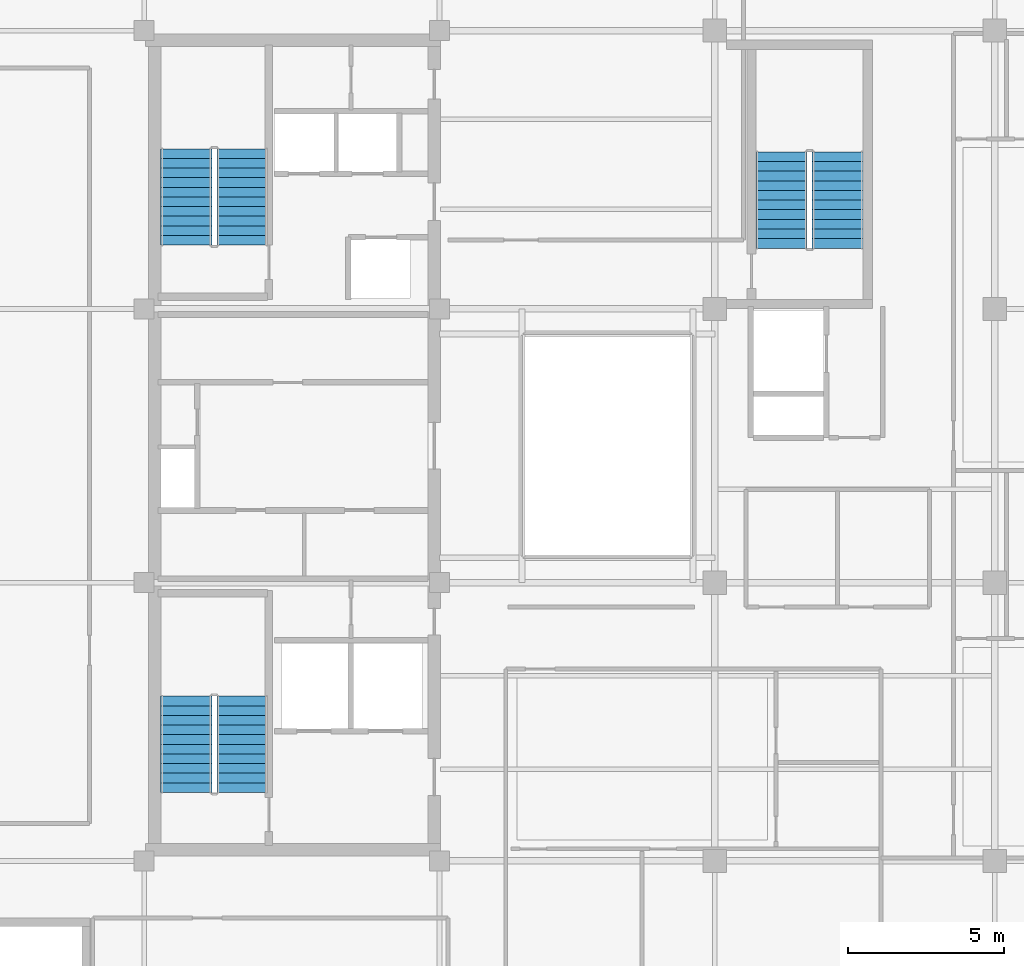
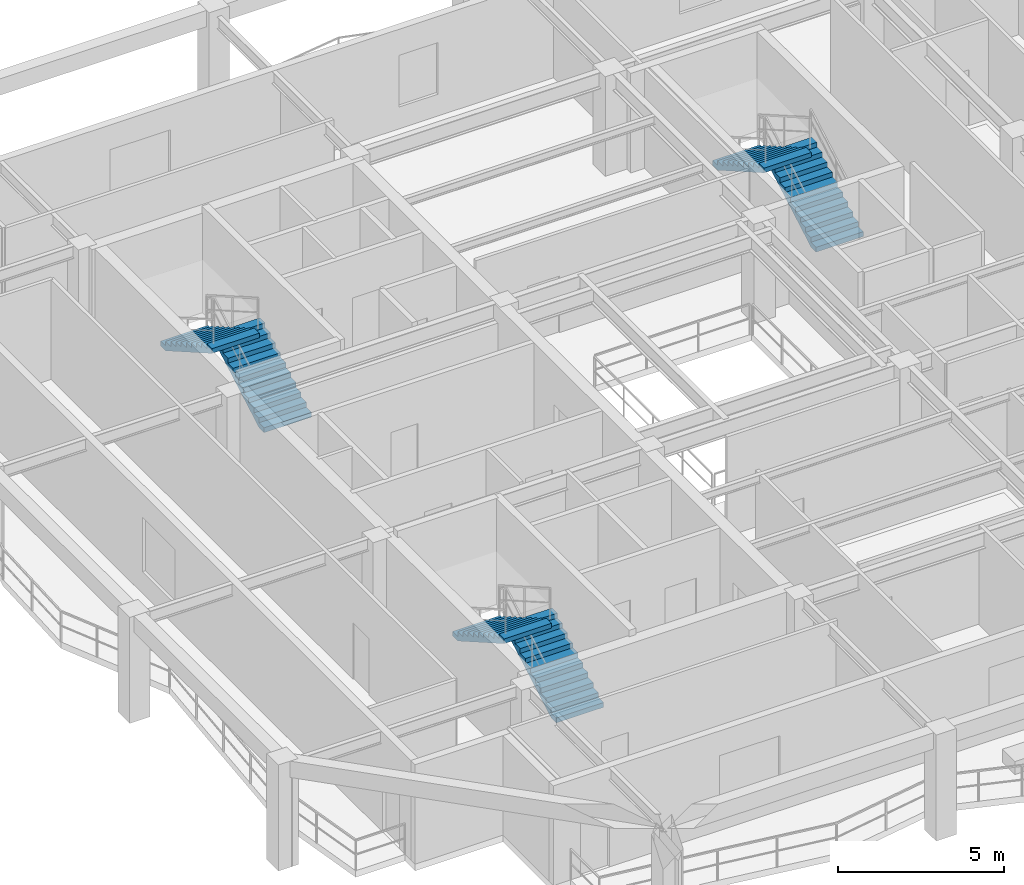
# One storey, part 6 of 10: 6 stair flights, 3 elements without a shape of their own.
"""IFC4 building model written with IfcOpenShell, lengths in metres."""

from ifc_helpers import new_model, si_unit, direction, frame, origin, place, context, subcontext, project, spatial, polyline, outline, extrude, material, type_object, element, aggregate, save


model = new_model("IFC4")

# Units and contexts
model_context = context("Model", 3, precision=1e-05, world=origin(), true_north=direction((0.0, 1.0)))
body_context = subcontext(model_context, "Body", "Model", "MODEL_VIEW")
ifc_project = project(units=[si_unit("LENGTHUNIT", "METRE"), si_unit("AREAUNIT", "SQUARE_METRE"), si_unit("VOLUMEUNIT", "CUBIC_METRE"), si_unit("PLANEANGLEUNIT", "RADIAN"), si_unit("MASSUNIT", "GRAM", prefix="KILO")], contexts=[model_context])

# Site, building, storey
site_placement = place(None, origin())
site = spatial("IfcSite", under=ifc_project, at=site_placement, CompositionType="ELEMENT")
building_placement = place(site_placement, origin())
building = spatial("IfcBuilding", under=site, at=building_placement, Name="Kundavana Baori Tower", CompositionType="ELEMENT")
storey_placement = place(building_placement, frame((0.0, 0.0, 272.60009765625)))
storey = spatial("IfcBuildingStorey", under=building, at=storey_placement, Name="L67", CompositionType="ELEMENT", Elevation=272.60009765625)

# Stair, stair flights
ifc_material_1 = material(Name="Concrete C40/50", Category="concrete")
stair_type = type_object("IfcStairType", Name="STR-DOG-1650", PredefinedType="HALF_TURN_STAIR", material=ifc_material_1)
stair_1_placement = place(storey_placement, origin())
stair_1 = element("IfcStair", 1, at=stair_1_placement, inside=storey, type_object=stair_type, Name="L67 Protected Exit Stair ST1", PredefinedType="HALF_TURN_STAIR")
ifc_material_2 = material(Name="Concrete C40/50", Category="concrete")
stair_flight_type = type_object("IfcStairFlightType", Name="SFL-RC-1650", PredefinedType="STRAIGHT", material=ifc_material_2)
stair_flight_1_placement = place(storey_placement, frame((18.614990234375, 17.449951171875, 0.0), z_axis=(0.0, 0.0, 1.0), x_axis=(0.0, 1.0, 0.0)))
stair_flight_1 = element("IfcStairFlight", 2, at=stair_flight_1_placement, type_object=stair_flight_type, Name="ST1 flight 1", NumberOfRisers=11, NumberOfTreads=10, PredefinedType="STRAIGHT", RiserHeight=0.177272727, TreadLength=0.31, context=body_context, shape_type="SweptSolid", body=[
    extrude(outline(polyline([(0.0, 0.0), (0.0, 0.17724609375), (0.31005859375, 0.17724609375), (0.31005859375, 0.3544921875), (0.6201171875, 0.3544921875), (0.6201171875, 0.53173828125), (0.929931640625, 0.53173828125), (0.929931640625, 0.708984375), (1.239990234375, 0.708984375), (1.239990234375, 0.886474609375), (1.550048828125, 0.886474609375), (1.550048828125, 1.063720703125), (1.860107421875, 1.063720703125), (1.860107421875, 1.240966796875), (2.169921875, 1.240966796875), (2.169921875, 1.418212890625), (2.47998046875, 1.418212890625), (2.47998046875, 1.595458984375), (2.7900390625, 1.595458984375), (2.7900390625, 1.772705078125), (3.10009765625, 1.772705078125), (3.10009765625, 1.949951171875), (3.10009765625, 1.60009765625), (0.302001953125, 0.0), (0.0, 0.0)])), frame((0.0, 0.824951171875, 0.0), z_axis=(0.0, -1.0, 0.0), x_axis=(1.0, 0.0, 0.0)), (0.0, 0.0, 1.0), 1.64990234375),
])
stair_flight_2_placement = place(storey_placement, frame((16.804931640625, 20.550048828125, 1.949951171875), z_axis=(0.0, 0.0, 1.0), x_axis=(0.0, -1.0, 0.0)))
stair_flight_2 = element("IfcStairFlight", 3, at=stair_flight_2_placement, type_object=stair_flight_type, Name="ST1 flight 2", NumberOfRisers=11, NumberOfTreads=10, PredefinedType="STRAIGHT", RiserHeight=0.177272727, TreadLength=0.31, context=body_context, shape_type="SweptSolid", body=[
    extrude(outline(polyline([(0.0, 0.0), (0.0, 0.17724609375), (0.31005859375, 0.17724609375), (0.31005859375, 0.3544921875), (0.6201171875, 0.3544921875), (0.6201171875, 0.53173828125), (0.929931640625, 0.53173828125), (0.929931640625, 0.708984375), (1.239990234375, 0.708984375), (1.239990234375, 0.886474609375), (1.550048828125, 0.886474609375), (1.550048828125, 1.063720703125), (1.860107421875, 1.063720703125), (1.860107421875, 1.240966796875), (2.169921875, 1.240966796875), (2.169921875, 1.418212890625), (2.47998046875, 1.418212890625), (2.47998046875, 1.595458984375), (2.7900390625, 1.595458984375), (2.7900390625, 1.772705078125), (3.10009765625, 1.772705078125), (3.10009765625, 1.949951171875), (3.10009765625, 1.60009765625), (0.302001953125, 0.0), (0.0, 0.0)])), frame((0.0, 0.824951171875, 0.0), z_axis=(0.0, -1.0, 0.0), x_axis=(1.0, 0.0, 0.0)), (0.0, 0.0, 1.0), 1.64990234375),
])
aggregate(stair_1, [stair_flight_1, stair_flight_2])

stair_2_placement = place(storey_placement, origin())
stair_2 = element("IfcStair", 4, at=stair_2_placement, inside=storey, type_object=stair_type, Name="L67 Protected Exit Stair ST2", PredefinedType="HALF_TURN_STAIR")
stair_flight_3_placement = place(storey_placement, frame((18.614990234375, 35.050048828125, 0.0), z_axis=(0.0, 0.0, 1.0), x_axis=(0.0, 1.0, 0.0)))
stair_flight_3 = element("IfcStairFlight", 5, at=stair_flight_3_placement, type_object=stair_flight_type, Name="ST2 flight 1", NumberOfRisers=11, NumberOfTreads=10, PredefinedType="STRAIGHT", RiserHeight=0.177272727, TreadLength=0.31, context=body_context, shape_type="SweptSolid", body=[
    extrude(outline(polyline([(0.0, 0.0), (0.0, 0.17724609375), (0.31005859375, 0.17724609375), (0.31005859375, 0.3544921875), (0.6201171875, 0.3544921875), (0.6201171875, 0.53173828125), (0.929931640625, 0.53173828125), (0.929931640625, 0.708984375), (1.239990234375, 0.708984375), (1.239990234375, 0.886474609375), (1.550048828125, 0.886474609375), (1.550048828125, 1.063720703125), (1.860107421875, 1.063720703125), (1.860107421875, 1.240966796875), (2.169921875, 1.240966796875), (2.169921875, 1.418212890625), (2.47998046875, 1.418212890625), (2.47998046875, 1.595458984375), (2.7900390625, 1.595458984375), (2.7900390625, 1.772705078125), (3.10009765625, 1.772705078125), (3.10009765625, 1.949951171875), (3.10009765625, 1.60009765625), (0.302001953125, 0.0), (0.0, 0.0)])), frame((0.0, 0.824951171875, 0.0), z_axis=(0.0, -1.0, 0.0), x_axis=(1.0, 0.0, 0.0)), (0.0, 0.0, 1.0), 1.64990234375),
])
stair_flight_4_placement = place(storey_placement, frame((16.804931640625, 38.14990234375, 1.949951171875), z_axis=(0.0, 0.0, 1.0), x_axis=(0.0, -1.0, 0.0)))
stair_flight_4 = element("IfcStairFlight", 6, at=stair_flight_4_placement, type_object=stair_flight_type, Name="ST2 flight 2", NumberOfRisers=11, NumberOfTreads=10, PredefinedType="STRAIGHT", RiserHeight=0.177272727, TreadLength=0.31, context=body_context, shape_type="SweptSolid", body=[
    extrude(outline(polyline([(0.0, 0.0), (0.0, 0.17724609375), (0.31005859375, 0.17724609375), (0.31005859375, 0.3544921875), (0.6201171875, 0.3544921875), (0.6201171875, 0.53173828125), (0.929931640625, 0.53173828125), (0.929931640625, 0.708984375), (1.239990234375, 0.708984375), (1.239990234375, 0.886474609375), (1.550048828125, 0.886474609375), (1.550048828125, 1.063720703125), (1.860107421875, 1.063720703125), (1.860107421875, 1.240966796875), (2.169921875, 1.240966796875), (2.169921875, 1.418212890625), (2.47998046875, 1.418212890625), (2.47998046875, 1.595458984375), (2.7900390625, 1.595458984375), (2.7900390625, 1.772705078125), (3.10009765625, 1.772705078125), (3.10009765625, 1.949951171875), (3.10009765625, 1.60009765625), (0.302001953125, 0.0), (0.0, 0.0)])), frame((0.0, 0.824951171875, 0.0), z_axis=(0.0, -1.0, 0.0), x_axis=(1.0, 0.0, 0.0)), (0.0, 0.0, 1.0), 1.64990234375),
])
aggregate(stair_2, [stair_flight_3, stair_flight_4])

stair_3_placement = place(storey_placement, origin())
stair_3 = element("IfcStair", 7, at=stair_3_placement, inside=storey, type_object=stair_type, Name="L67 Protected Exit Stair ST3", PredefinedType="HALF_TURN_STAIR")
stair_flight_5_placement = place(storey_placement, frame((37.7548828125, 34.949951171875, 0.0), z_axis=(0.0, 0.0, 1.0), x_axis=(0.0, 1.0, 0.0)))
stair_flight_5 = element("IfcStairFlight", 8, at=stair_flight_5_placement, type_object=stair_flight_type, Name="ST3 flight 1", NumberOfRisers=11, NumberOfTreads=10, PredefinedType="STRAIGHT", RiserHeight=0.177272727, TreadLength=0.31, context=body_context, shape_type="SweptSolid", body=[
    extrude(outline(polyline([(0.0, 0.0), (0.0, 0.17724609375), (0.31005859375, 0.17724609375), (0.31005859375, 0.3544921875), (0.6201171875, 0.3544921875), (0.6201171875, 0.53173828125), (0.929931640625, 0.53173828125), (0.929931640625, 0.708984375), (1.239990234375, 0.708984375), (1.239990234375, 0.886474609375), (1.550048828125, 0.886474609375), (1.550048828125, 1.063720703125), (1.860107421875, 1.063720703125), (1.860107421875, 1.240966796875), (2.169921875, 1.240966796875), (2.169921875, 1.418212890625), (2.47998046875, 1.418212890625), (2.47998046875, 1.595458984375), (2.7900390625, 1.595458984375), (2.7900390625, 1.772705078125), (3.10009765625, 1.772705078125), (3.10009765625, 1.949951171875), (3.10009765625, 1.60009765625), (0.302001953125, 0.0), (0.0, 0.0)])), frame((0.0, 0.824951171875, 0.0), z_axis=(0.0, -1.0, 0.0), x_axis=(1.0, 0.0, 0.0)), (0.0, 0.0, 1.0), 1.64990234375),
])
stair_flight_6_placement = place(storey_placement, frame((35.945068359375, 38.050048828125, 1.949951171875), z_axis=(0.0, 0.0, 1.0), x_axis=(0.0, -1.0, 0.0)))
stair_flight_6 = element("IfcStairFlight", 9, at=stair_flight_6_placement, type_object=stair_flight_type, Name="ST3 flight 2", NumberOfRisers=11, NumberOfTreads=10, PredefinedType="STRAIGHT", RiserHeight=0.177272727, TreadLength=0.31, context=body_context, shape_type="SweptSolid", body=[
    extrude(outline(polyline([(0.0, 0.0), (0.0, 0.17724609375), (0.31005859375, 0.17724609375), (0.31005859375, 0.3544921875), (0.6201171875, 0.3544921875), (0.6201171875, 0.53173828125), (0.929931640625, 0.53173828125), (0.929931640625, 0.708984375), (1.239990234375, 0.708984375), (1.239990234375, 0.886474609375), (1.550048828125, 0.886474609375), (1.550048828125, 1.063720703125), (1.860107421875, 1.063720703125), (1.860107421875, 1.240966796875), (2.169921875, 1.240966796875), (2.169921875, 1.418212890625), (2.47998046875, 1.418212890625), (2.47998046875, 1.595458984375), (2.7900390625, 1.595458984375), (2.7900390625, 1.772705078125), (3.10009765625, 1.772705078125), (3.10009765625, 1.949951171875), (3.10009765625, 1.60009765625), (0.302001953125, 0.0), (0.0, 0.0)])), frame((0.0, 0.824951171875, 0.0), z_axis=(0.0, -1.0, 0.0), x_axis=(1.0, 0.0, 0.0)), (0.0, 0.0, 1.0), 1.64990234375),
])
aggregate(stair_3, [stair_flight_5, stair_flight_6])

save(model, "model.ifc")
